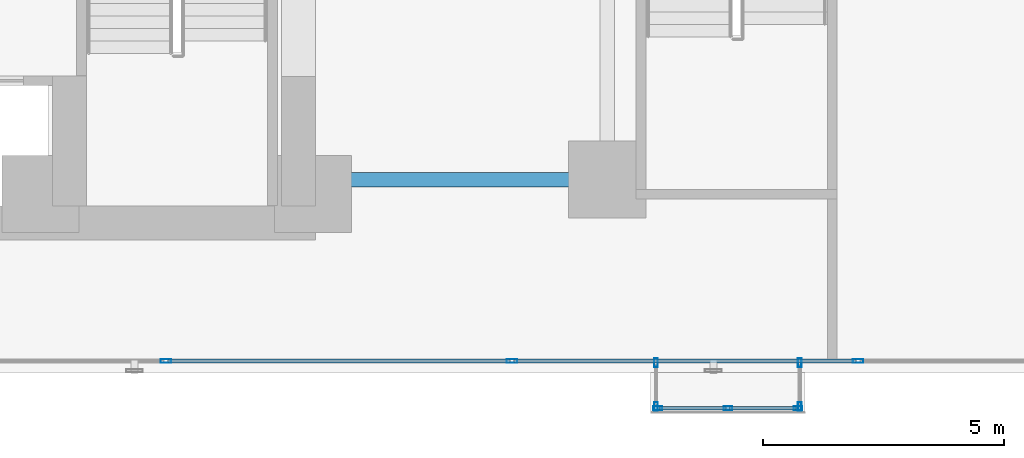
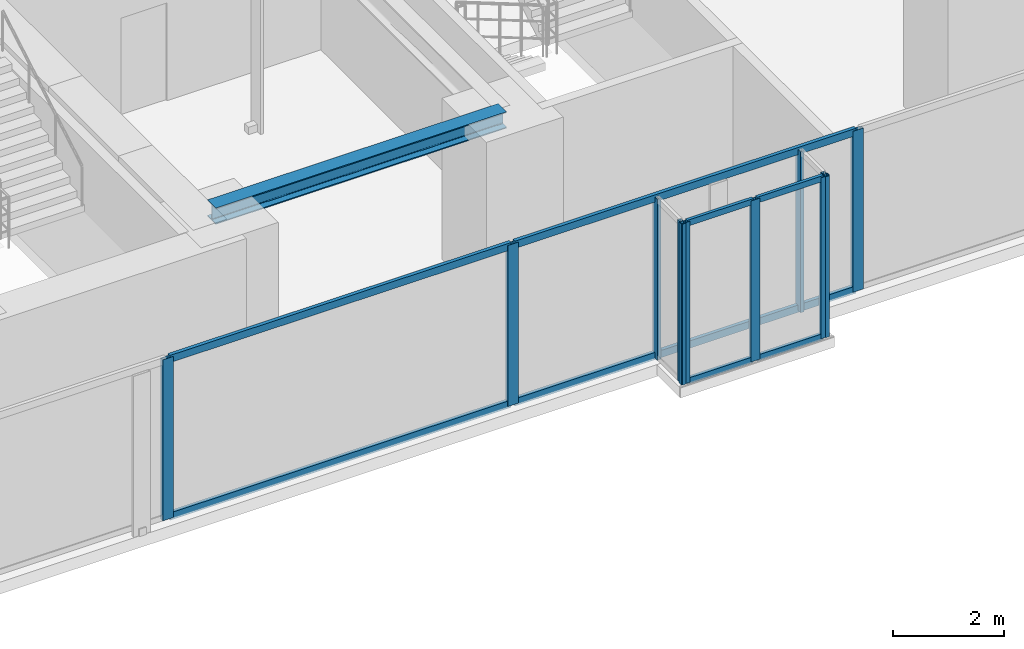
# One storey, part 4 of 26: 18 members, 1 beam, 4 elements without a shape of their own.
"""IFC4 building model written with IfcOpenShell, lengths in metres."""

from ifc_helpers import new_model, si_unit, direction, frame, origin, origin_with_axes, origin_2d, place, context, subcontext, project, spatial, hollow_rectangle, i_section, extrude, source, transform, mapped, material, layer, layer_set, material_profile, profile_set, type_object, element, aggregate, save


model = new_model("IFC4")

# Units and contexts
model_context = context("Model", 3, precision=1e-05, world=origin(), true_north=direction((0.0, 1.0)))
body_context = subcontext(model_context, "Body", "Model", "MODEL_VIEW")
ifc_project = project(units=[si_unit("LENGTHUNIT", "METRE"), si_unit("AREAUNIT", "SQUARE_METRE"), si_unit("VOLUMEUNIT", "CUBIC_METRE"), si_unit("PLANEANGLEUNIT", "RADIAN"), si_unit("MASSUNIT", "GRAM", prefix="KILO")], contexts=[model_context])

# Site, building, storey
site_placement = place(None, origin())
site = spatial("IfcSite", under=ifc_project, at=site_placement, CompositionType="ELEMENT")
building_placement = place(site_placement, origin())
building = spatial("IfcBuilding", under=site, at=building_placement, Name="Kolvaren Waterfront Exchange", CompositionType="ELEMENT")
storey_placement = place(building_placement, frame((0.0, 0.0, 48.60009765625)))
storey = spatial("IfcBuildingStorey", under=building, at=storey_placement, Name="L12", CompositionType="ELEMENT", Elevation=48.60009765625)

# Beam
ifc_material_1 = material(Name="Steel S355", Category="steel")
ifc_material_profile_1 = material_profile(ifc_material_1, i_section(OverallWidth=0.300048828125, OverallDepth=0.360107421875, WebThickness=0.012451171875, FlangeThickness=0.0224609375, FilletRadius=0.027099609375, at=origin_2d()), Name="HEB360")
ifc_profile_set_1 = profile_set([ifc_material_profile_1], Name="Steel S355")
beam_type = type_object("IfcBeamType", Name="STR-BM-HEB360", PredefinedType="SPANDREL", material=ifc_profile_set_1)
beam_placement = place(storey_placement, frame((21.14990234375, 5.199951171875, 3.35986328125), z_axis=(1.0, 0.0, 0.0), x_axis=(0.0, 1.0, 0.0)))
element("IfcBeam", 1, at=beam_placement, inside=storey, type_object=beam_type, Name="L12 east-arm spandrel S1", PredefinedType="SPANDREL", context=body_context, shape_type="SweptSolid", body=[
    extrude(i_section(OverallWidth=0.300048828125, OverallDepth=0.360107421875, WebThickness=0.012451171875, FlangeThickness=0.0224609375, FilletRadius=0.027099609375, at=origin_2d()), origin(), (0.0, 0.0, 1.0), 6.050048828125),
])

# Curtain wall, members
ifc_material_2 = material(Name="Anodised bronze aluminium 6063-T6", Category="aluminium")
ifc_layer_1 = layer(ifc_material_2, 0.219970703125, Name="Anodised bronze aluminium 6063-T6")
ifc_layer_set_1 = layer_set([ifc_layer_1], Name="Anodised bronze aluminium 6063-T6")
curtain_wall_type_1 = type_object("IfcCurtainWallType", Name="ARC-CW-SYS1", PredefinedType="USERDEFINED", material=ifc_layer_set_1)
curtain_wall_1_placement = place(storey_placement, origin())
curtain_wall_1 = element("IfcCurtainWall", 2, at=curtain_wall_1_placement, inside=storey, type_object=curtain_wall_type_1, Name="L12 stick curtain wall CW1 (CW-L12-S)", ObjectType="STICK CURTAIN WALL", PredefinedType="USERDEFINED")
ifc_material_3 = material(Name="Anodised aluminium 6063-T6", Category="aluminium")
ifc_material_profile_2 = material_profile(ifc_material_3, hollow_rectangle(XDim=0.080078125, YDim=0.219970703125, WallThickness=0.0048828125, at=origin_2d()), Name="ALU-MUL-220x80x5")
ifc_profile_set_2 = profile_set([ifc_material_profile_2], Name="Anodised aluminium 6063-T6")
member_type_1 = type_object("IfcMemberType", Name="ARC-CWM-220", PredefinedType="MULLION", material=ifc_profile_set_2)
shared_shape_1 = source(origin_with_axes(), body_context, "Body", "SweptSolid", [
    extrude(hollow_rectangle(XDim=0.080078125, YDim=0.219970703125, WallThickness=0.0048828125, at=origin_2d()), origin(), (0.0, 0.0, 1.0), 3.539794921875),
])
member_1_placement = place(storey_placement, frame((18.050048828125, 1.43994140625, 0.0), z_axis=(0.0, 0.0, 1.0), x_axis=(0.0, 1.0, 0.0)))
member_1 = element("IfcMember", 3, at=member_1_placement, type_object=member_type_1, Name="CW1 mullion 3", PredefinedType="MULLION", context=body_context, shape_type="MappedRepresentation", body=[
    mapped(shared_shape_1, transform((0.0, 0.0, 0.0), x_axis=(1.0, 0.0, 0.0), y_axis=(0.0, 1.0, 0.0), z_axis=(0.0, 0.0, 1.0), scale=1.0)),
])
member_2_placement = place(storey_placement, frame((25.22509765625, 1.43994140625, 0.0), z_axis=(0.0, 0.0, 1.0), x_axis=(0.0, 1.0, 0.0)))
member_2 = element("IfcMember", 4, at=member_2_placement, type_object=member_type_1, Name="CW1 mullion 4", PredefinedType="MULLION", context=body_context, shape_type="MappedRepresentation", body=[
    mapped(shared_shape_1, transform((0.0, 0.0, 0.0), x_axis=(1.0, 0.0, 0.0), y_axis=(0.0, 1.0, 0.0), z_axis=(0.0, 0.0, 1.0), scale=1.0)),
])
member_3_placement = place(storey_placement, frame((32.39990234375, 1.43994140625, 0.0), z_axis=(0.0, 0.0, 1.0), x_axis=(0.0, 1.0, 0.0)))
member_3 = element("IfcMember", 5, at=member_3_placement, type_object=member_type_1, Name="CW1 mullion 5", PredefinedType="MULLION", context=body_context, shape_type="MappedRepresentation", body=[
    mapped(shared_shape_1, transform((0.0, 0.0, 0.0), x_axis=(1.0, 0.0, 0.0), y_axis=(0.0, 1.0, 0.0), z_axis=(0.0, 0.0, 1.0), scale=1.0)),
])
ifc_material_profile_3 = material_profile(ifc_material_3, hollow_rectangle(XDim=0.074951171875, YDim=0.159912109375, WallThickness=0.00439453125, at=origin_2d()), Name="ALU-TRN-160x75x4.5")
ifc_profile_set_3 = profile_set([ifc_material_profile_3], Name="Anodised aluminium 6063-T6")
member_type_2 = type_object("IfcMemberType", Name="ARC-CWT-160", PredefinedType="USERDEFINED", material=ifc_profile_set_3)
shared_shape_2 = source(origin_with_axes(), body_context, "Body", "SweptSolid", [
    extrude(hollow_rectangle(XDim=0.074951171875, YDim=0.159912109375, WallThickness=0.00439453125, at=origin_2d()), origin(), (0.0, 0.0, 1.0), 7.094970703125),
])
member_4_placement = place(storey_placement, frame((18.090087890625, 1.43994140625, 0.037353515625), z_axis=(1.0, 0.0, 0.0), x_axis=(0.0, 1.0, 0.0)))
member_4 = element("IfcMember", 6, at=member_4_placement, type_object=member_type_2, Name="CW1 transom 3.1", ObjectType="TRANSOM", PredefinedType="USERDEFINED", context=body_context, shape_type="MappedRepresentation", body=[
    mapped(shared_shape_2, transform((0.0, 0.0, 0.0), x_axis=(1.0, 0.0, 0.0), y_axis=(0.0, 1.0, 0.0), z_axis=(0.0, 0.0, 1.0), scale=1.0)),
])
member_5_placement = place(storey_placement, frame((18.090087890625, 1.43994140625, 3.50244140625), z_axis=(1.0, 0.0, 0.0), x_axis=(0.0, 1.0, 0.0)))
member_5 = element("IfcMember", 7, at=member_5_placement, type_object=member_type_2, Name="CW1 transom 3.2", ObjectType="TRANSOM", PredefinedType="USERDEFINED", context=body_context, shape_type="MappedRepresentation", body=[
    mapped(shared_shape_2, transform((0.0, 0.0, 0.0), x_axis=(1.0, 0.0, 0.0), y_axis=(0.0, 1.0, 0.0), z_axis=(0.0, 0.0, 1.0), scale=1.0)),
])
shared_shape_3 = source(origin_with_axes(), body_context, "Body", "SweptSolid", [
    extrude(hollow_rectangle(XDim=0.074951171875, YDim=0.159912109375, WallThickness=0.00439453125, at=origin_2d()), origin(), (0.0, 0.0, 1.0), 7.09521484375),
])
member_6_placement = place(storey_placement, frame((25.264892578125, 1.43994140625, 0.037353515625), z_axis=(1.0, 0.0, 0.0), x_axis=(0.0, 1.0, 0.0)))
member_6 = element("IfcMember", 8, at=member_6_placement, type_object=member_type_2, Name="CW1 transom 4.1", ObjectType="TRANSOM", PredefinedType="USERDEFINED", context=body_context, shape_type="MappedRepresentation", body=[
    mapped(shared_shape_3, transform((0.0, 0.0, 0.0), x_axis=(1.0, 0.0, 0.0), y_axis=(0.0, 1.0, 0.0), z_axis=(0.0, 0.0, 1.0), scale=1.0)),
])
member_7_placement = place(storey_placement, frame((25.264892578125, 1.43994140625, 3.50244140625), z_axis=(1.0, 0.0, 0.0), x_axis=(0.0, 1.0, 0.0)))
member_7 = element("IfcMember", 9, at=member_7_placement, type_object=member_type_2, Name="CW1 transom 4.2", ObjectType="TRANSOM", PredefinedType="USERDEFINED", context=body_context, shape_type="MappedRepresentation", body=[
    mapped(shared_shape_3, transform((0.0, 0.0, 0.0), x_axis=(1.0, 0.0, 0.0), y_axis=(0.0, 1.0, 0.0), z_axis=(0.0, 0.0, 1.0), scale=1.0)),
])
aggregate(curtain_wall_1, [member_1, member_2, member_3, member_4, member_5, member_6, member_7])

ifc_layer_2 = layer(ifc_material_2, 0.219970703125, Name="Anodised bronze aluminium 6063-T6")
ifc_layer_set_2 = layer_set([ifc_layer_2], Name="Anodised bronze aluminium 6063-T6")
curtain_wall_type_2 = type_object("IfcCurtainWallType", Name="ARC-CW-SYS3", PredefinedType="USERDEFINED", material=ifc_layer_set_2)
curtain_wall_2_placement = place(storey_placement, origin())
curtain_wall_2 = element("IfcCurtainWall", 10, at=curtain_wall_2_placement, inside=storey, type_object=curtain_wall_type_2, Name="L12 stick curtain wall CW3 (CW-L12-BOX)", ObjectType="STICK CURTAIN WALL", PredefinedType="USERDEFINED")
ifc_material_profile_4 = material_profile(ifc_material_2, hollow_rectangle(XDim=0.06494140625, YDim=0.1298828125, WallThickness=0.00390625, at=origin_2d()), Name="ALU-TRN-130x65x4")
ifc_profile_set_4 = profile_set([ifc_material_profile_4], Name="Anodised bronze aluminium 6063-T6")
member_type_3 = type_object("IfcMemberType", Name="ARC-CWT-130", PredefinedType="USERDEFINED", material=ifc_profile_set_4)
shared_shape_4 = source(origin_with_axes(), body_context, "Body", "SweptSolid", [
    extrude(hollow_rectangle(XDim=0.06494140625, YDim=0.1298828125, WallThickness=0.00390625, at=origin_2d()), origin(), (0.0, 0.0, 1.0), 1.377685546875),
])
member_8_placement = place(storey_placement, frame((28.284912109375, 0.4599609375, 0.032470703125), z_axis=(1.0, 0.0, 0.0), x_axis=(0.0, 1.0, 0.0)))
member_8 = element("IfcMember", 11, at=member_8_placement, type_object=member_type_3, Name="CW3 transom 1.1", ObjectType="TRANSOM", PredefinedType="USERDEFINED", context=body_context, shape_type="MappedRepresentation", body=[
    mapped(shared_shape_4, transform((0.0, 0.0, 0.0), x_axis=(1.0, 0.0, 0.0), y_axis=(0.0, 1.0, 0.0), z_axis=(0.0, 0.0, 1.0), scale=1.0)),
])
member_9_placement = place(storey_placement, frame((28.284912109375, 0.4599609375, 3.50732421875), z_axis=(1.0, 0.0, 0.0), x_axis=(0.0, 1.0, 0.0)))
member_9 = element("IfcMember", 12, at=member_9_placement, type_object=member_type_3, Name="CW3 transom 1.2", ObjectType="TRANSOM", PredefinedType="USERDEFINED", context=body_context, shape_type="MappedRepresentation", body=[
    mapped(shared_shape_4, transform((0.0, 0.0, 0.0), x_axis=(1.0, 0.0, 0.0), y_axis=(0.0, 1.0, 0.0), z_axis=(0.0, 0.0, 1.0), scale=1.0)),
])
shared_shape_5 = source(origin_with_axes(), body_context, "Body", "SweptSolid", [
    extrude(hollow_rectangle(XDim=0.06494140625, YDim=0.1298828125, WallThickness=0.00390625, at=origin_2d()), origin(), (0.0, 0.0, 1.0), 1.37744140625),
])
member_10_placement = place(storey_placement, frame((29.737548828125, 0.4599609375, 0.032470703125), z_axis=(1.0, 0.0, 0.0), x_axis=(0.0, 1.0, 0.0)))
member_10 = element("IfcMember", 13, at=member_10_placement, type_object=member_type_3, Name="CW3 transom 2.1", ObjectType="TRANSOM", PredefinedType="USERDEFINED", context=body_context, shape_type="MappedRepresentation", body=[
    mapped(shared_shape_5, transform((0.0, 0.0, 0.0), x_axis=(1.0, 0.0, 0.0), y_axis=(0.0, 1.0, 0.0), z_axis=(0.0, 0.0, 1.0), scale=1.0)),
])
member_11_placement = place(storey_placement, frame((29.737548828125, 0.4599609375, 3.50732421875), z_axis=(1.0, 0.0, 0.0), x_axis=(0.0, 1.0, 0.0)))
member_11 = element("IfcMember", 14, at=member_11_placement, type_object=member_type_3, Name="CW3 transom 2.2", ObjectType="TRANSOM", PredefinedType="USERDEFINED", context=body_context, shape_type="MappedRepresentation", body=[
    mapped(shared_shape_5, transform((0.0, 0.0, 0.0), x_axis=(1.0, 0.0, 0.0), y_axis=(0.0, 1.0, 0.0), z_axis=(0.0, 0.0, 1.0), scale=1.0)),
])

curtain_wall_3_placement = place(storey_placement, origin())
curtain_wall_3 = element("IfcCurtainWall", 15, at=curtain_wall_3_placement, inside=storey, type_object=curtain_wall_type_2, Name="L12 stick curtain wall CW3 (CW-L12-BOX-W)", ObjectType="STICK CURTAIN WALL", PredefinedType="USERDEFINED")
ifc_material_profile_5 = material_profile(ifc_material_2, hollow_rectangle(XDim=0.074951171875, YDim=0.179931640625, WallThickness=0.00439453125, at=origin_2d()), Name="ALU-MUL-180x75x4.5")
ifc_profile_set_5 = profile_set([ifc_material_profile_5], Name="Anodised bronze aluminium 6063-T6")
member_type_4 = type_object("IfcMemberType", Name="ARC-CWM-180", PredefinedType="MULLION", material=ifc_profile_set_5)
shared_shape_6 = source(origin_with_axes(), body_context, "Body", "SweptSolid", [
    extrude(hollow_rectangle(XDim=0.074951171875, YDim=0.179931640625, WallThickness=0.00439453125, at=origin_2d()), origin(), (0.0, 0.0, 1.0), 3.539794921875),
])
member_12_placement = place(storey_placement, frame((28.2099609375, 1.402587890625, 0.0), z_axis=(0.0, 0.0, 1.0), x_axis=(1.0, 0.0, 0.0)))
member_12 = element("IfcMember", 16, at=member_12_placement, type_object=member_type_4, Name="CW3 mullion 1", PredefinedType="MULLION", context=body_context, shape_type="MappedRepresentation", body=[
    mapped(shared_shape_6, transform((0.0, 0.0, 0.0), x_axis=(1.0, 0.0, 0.0), y_axis=(0.0, 1.0, 0.0), z_axis=(0.0, 0.0, 1.0), scale=1.0)),
])
member_13_placement = place(storey_placement, frame((28.2099609375, 0.49755859375, 0.0), z_axis=(0.0, 0.0, 1.0), x_axis=(1.0, 0.0, 0.0)))
member_13 = element("IfcMember", 17, at=member_13_placement, type_object=member_type_4, Name="CW3 mullion 2", PredefinedType="MULLION", context=body_context, shape_type="MappedRepresentation", body=[
    mapped(shared_shape_6, transform((0.0, 0.0, 0.0), x_axis=(1.0, 0.0, 0.0), y_axis=(0.0, 1.0, 0.0), z_axis=(0.0, 0.0, 1.0), scale=1.0)),
])
aggregate(curtain_wall_3, [member_12, member_13])

# Member
member_14_placement = place(storey_placement, frame((28.24755859375, 0.4599609375, 0.0), z_axis=(0.0, 0.0, 1.0), x_axis=(0.0, 1.0, 0.0)))
member_14 = element("IfcMember", 18, at=member_14_placement, type_object=member_type_4, Name="CW3 mullion 1", PredefinedType="MULLION", context=body_context, shape_type="MappedRepresentation", body=[
    mapped(shared_shape_6, transform((0.0, 0.0, 0.0), x_axis=(1.0, 0.0, 0.0), y_axis=(0.0, 1.0, 0.0), z_axis=(0.0, 0.0, 1.0), scale=1.0)),
])

member_15_placement = place(storey_placement, frame((29.699951171875, 0.4599609375, 0.0), z_axis=(0.0, 0.0, 1.0), x_axis=(0.0, 1.0, 0.0)))
member_15 = element("IfcMember", 19, at=member_15_placement, type_object=member_type_4, Name="CW3 mullion 2", PredefinedType="MULLION", context=body_context, shape_type="MappedRepresentation", body=[
    mapped(shared_shape_6, transform((0.0, 0.0, 0.0), x_axis=(1.0, 0.0, 0.0), y_axis=(0.0, 1.0, 0.0), z_axis=(0.0, 0.0, 1.0), scale=1.0)),
])

member_16_placement = place(storey_placement, frame((31.152587890625, 0.4599609375, 0.0), z_axis=(0.0, 0.0, 1.0), x_axis=(0.0, 1.0, 0.0)))
member_16 = element("IfcMember", 20, at=member_16_placement, type_object=member_type_4, Name="CW3 mullion 3", PredefinedType="MULLION", context=body_context, shape_type="MappedRepresentation", body=[
    mapped(shared_shape_6, transform((0.0, 0.0, 0.0), x_axis=(1.0, 0.0, 0.0), y_axis=(0.0, 1.0, 0.0), z_axis=(0.0, 0.0, 1.0), scale=1.0)),
])

aggregate(curtain_wall_2, [member_14, member_15, member_16, member_8, member_9, member_10, member_11])

# Curtain wall, members
curtain_wall_4_placement = place(storey_placement, origin())
curtain_wall_4 = element("IfcCurtainWall", 21, at=curtain_wall_4_placement, inside=storey, type_object=curtain_wall_type_2, Name="L12 stick curtain wall CW3 (CW-L12-BOX-E)", ObjectType="STICK CURTAIN WALL", PredefinedType="USERDEFINED")
member_17_placement = place(storey_placement, frame((31.18994140625, 0.49755859375, 0.0), z_axis=(0.0, 0.0, 1.0), x_axis=(-1.0, 0.0, 0.0)))
member_17 = element("IfcMember", 22, at=member_17_placement, type_object=member_type_4, Name="CW3 mullion 1", PredefinedType="MULLION", context=body_context, shape_type="MappedRepresentation", body=[
    mapped(shared_shape_6, transform((0.0, 0.0, 0.0), x_axis=(1.0, 0.0, 0.0), y_axis=(0.0, 1.0, 0.0), z_axis=(0.0, 0.0, 1.0), scale=1.0)),
])
member_18_placement = place(storey_placement, frame((31.18994140625, 1.402587890625, 0.0), z_axis=(0.0, 0.0, 1.0), x_axis=(-1.0, 0.0, 0.0)))
member_18 = element("IfcMember", 23, at=member_18_placement, type_object=member_type_4, Name="CW3 mullion 2", PredefinedType="MULLION", context=body_context, shape_type="MappedRepresentation", body=[
    mapped(shared_shape_6, transform((0.0, 0.0, 0.0), x_axis=(1.0, 0.0, 0.0), y_axis=(0.0, 1.0, 0.0), z_axis=(0.0, 0.0, 1.0), scale=1.0)),
])
aggregate(curtain_wall_4, [member_17, member_18])

save(model, "model.ifc")
